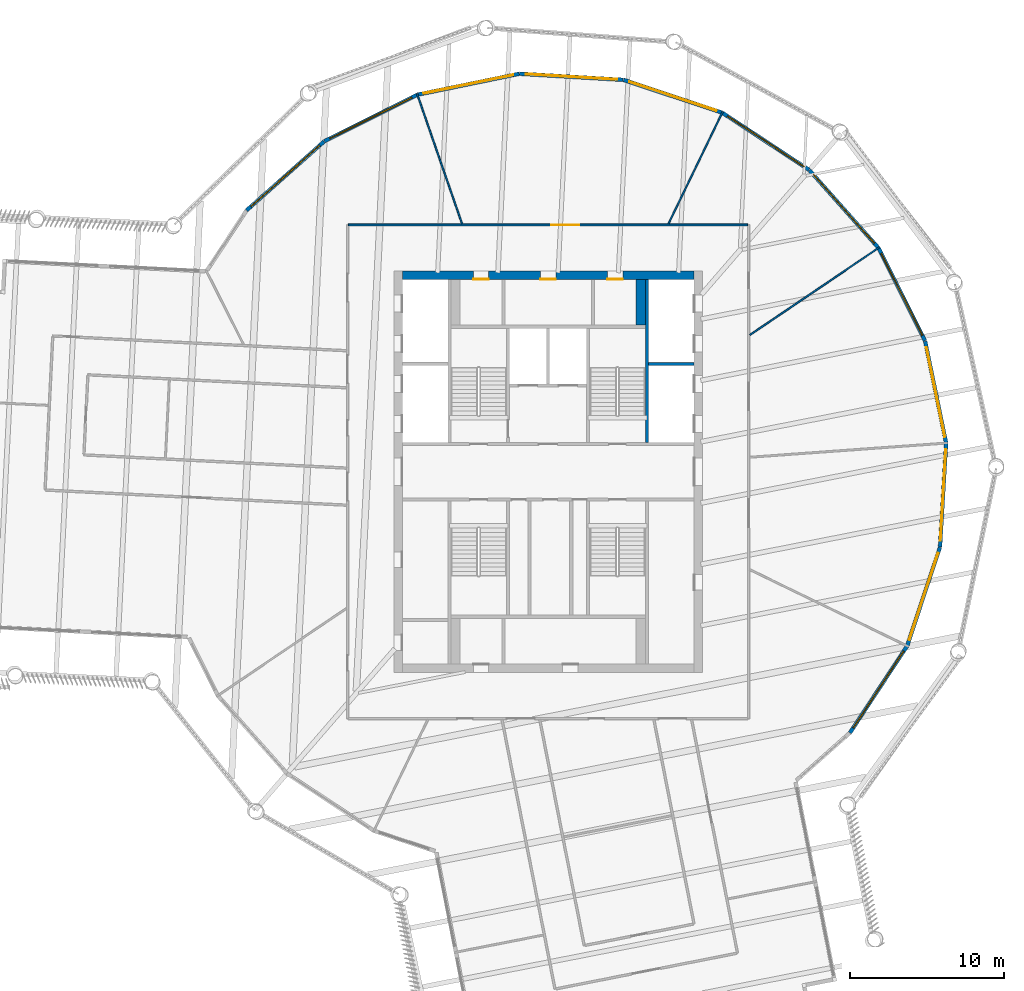
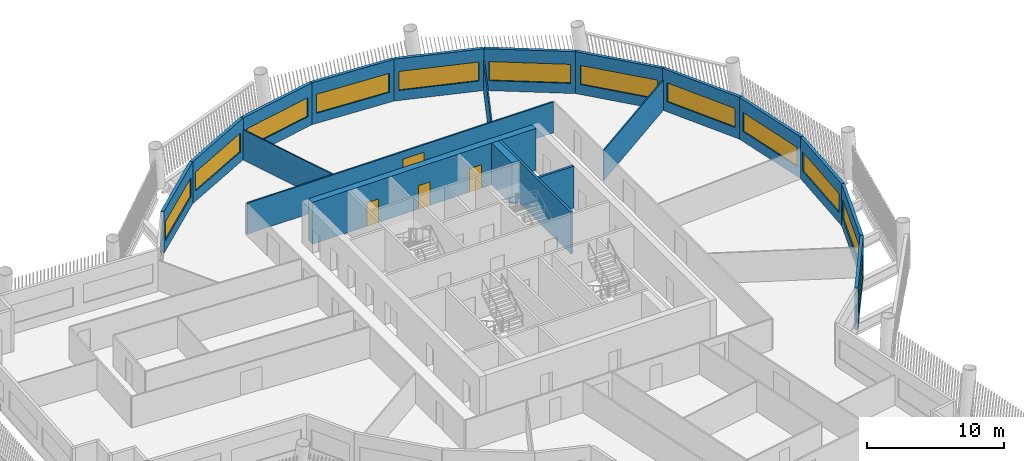
# One storey, part 6 of 14: 20 walls, 12 windows, 4 doors, 16 openings.
"""IFC4 building model written with IfcOpenShell, lengths in metres."""

from ifc_helpers import new_model, si_unit, direction, frame, frame_2d, origin, place, context, subcontext, project, spatial, rectangle, extrude, material, layer, layer_set, type_object, element, fill, save


model = new_model("IFC4")

# Units and contexts
model_context = context("Model", 3, precision=1e-05, world=origin(), true_north=direction((0.0, 1.0)))
body_context = subcontext(model_context, "Body", "Model", "MODEL_VIEW")
ifc_project = project(units=[si_unit("LENGTHUNIT", "METRE"), si_unit("AREAUNIT", "SQUARE_METRE"), si_unit("VOLUMEUNIT", "CUBIC_METRE"), si_unit("PLANEANGLEUNIT", "RADIAN"), si_unit("MASSUNIT", "GRAM", prefix="KILO")], contexts=[model_context])

# Site, building, storey
site_placement = place(None, origin())
site = spatial("IfcSite", under=ifc_project, at=site_placement, CompositionType="ELEMENT")
building_placement = place(site_placement, origin())
building = spatial("IfcBuilding", under=site, at=building_placement, Name="Tarsis Ring Headquarters", CompositionType="ELEMENT")
storey_placement = place(building_placement, frame((0.0, 0.0, 274.699951171875)))
storey = spatial("IfcBuildingStorey", under=building, at=storey_placement, Name="L64", CompositionType="ELEMENT", Elevation=274.699951171875)

# Wall, openings, doors
ifc_material_1 = material(Name="Concrete C50/60", Category="concrete")
ifc_layer_1 = layer(ifc_material_1, 0.550048828125)
ifc_layer_set_1 = layer_set([ifc_layer_1], Name="Core wall 550 C50/60")
wall_type_1 = type_object("IfcWallType", Name="Core wall 550 C50/60", PredefinedType="SHEAR", material=ifc_layer_set_1)
wall_1_placement = place(storey_placement, frame((-9.449951171875, 12.72509765625, 0.0), z_axis=(0.0, 0.0, 1.0), x_axis=(1.0, 0.0, 0.0)))
wall_1 = element("IfcWall", 1, at=wall_1_placement, inside=storey, type_object=wall_type_1, Name="Core wall ON", PredefinedType="SHEAR", context=body_context, shape_type="SweptSolid", body=[
    extrude(rectangle(XDim=18.89990234375, YDim=0.550048828125, at=frame_2d((9.449951171875, 0.0))), origin(), (0.0, 0.0, 1.0), 3.739990234375),
])
opening_1_placement = place(wall_1_placement, frame((4.60009765625, 0.0, 0.0)))
opening_1 = element("IfcOpeningElement", 2, at=opening_1_placement, cuts=wall_1, Name="Opening L64-C14", PredefinedType="OPENING", context=body_context, shape_type="SweptSolid", body=[
    extrude(rectangle(XDim=1.0, YDim=2.10009765625, at=frame_2d((0.5, 1.050048828125))), frame((0.0, 0.284912109375, 0.0), z_axis=(0.0, -1.0, 0.0), x_axis=(1.0, 0.0, 0.0)), (0.0, 0.0, 1.0), 0.570068359375),
])
opening_2_placement = place(wall_1_placement, frame((8.949951171875, 0.0, 0.0)))
opening_2 = element("IfcOpeningElement", 3, at=opening_2_placement, cuts=wall_1, Name="Opening L64-C15", PredefinedType="OPENING", context=body_context, shape_type="SweptSolid", body=[
    extrude(rectangle(XDim=1.0, YDim=2.10009765625, at=frame_2d((0.5, 1.050048828125))), frame((0.0, 0.284912109375, 0.0), z_axis=(0.0, -1.0, 0.0), x_axis=(1.0, 0.0, 0.0)), (0.0, 0.0, 1.0), 0.570068359375),
])
opening_3_placement = place(wall_1_placement, frame((13.300048828125, 0.0, 0.0)))
opening_3 = element("IfcOpeningElement", 4, at=opening_3_placement, cuts=wall_1, Name="Opening L64-C16", PredefinedType="OPENING", context=body_context, shape_type="SweptSolid", body=[
    extrude(rectangle(XDim=1.0, YDim=2.10009765625, at=frame_2d((0.5, 1.050048828125))), frame((0.0, 0.284912109375, 0.0), z_axis=(0.0, -1.0, 0.0), x_axis=(1.0, 0.0, 0.0)), (0.0, 0.0, 1.0), 0.570068359375),
])
ifc_material_2 = material(Name="Steel S355", Category="steel")
door_type_1 = type_object("IfcDoorType", Name="Core room door 1000x2100", OperationType="SINGLE_SWING_LEFT", PredefinedType="DOOR", material=ifc_material_2)
door_1_placement = place(opening_1_placement, origin())
door_1 = element("IfcDoor", 5, at=door_1_placement, inside=storey, type_object=door_type_1, Name="Core room door L64", OperationType="SINGLE_SWING_LEFT", OverallHeight=2.10009765625, OverallWidth=1.0, PredefinedType="DOOR", context=body_context, shape_type="SweptSolid", body=[
    extrude(rectangle(XDim=1.0, YDim=2.10009765625, at=frame_2d((0.5, 1.050048828125))), frame((0.0, -0.22509765625, 0.0), z_axis=(0.0, -1.0, 0.0), x_axis=(1.0, 0.0, 0.0)), (0.0, 0.0, 1.0), 0.050048828125),
])
fill(opening_1, door_1)
door_2_placement = place(opening_2_placement, origin())
door_2 = element("IfcDoor", 6, at=door_2_placement, inside=storey, type_object=door_type_1, Name="Core room door L64", OperationType="SINGLE_SWING_LEFT", OverallHeight=2.10009765625, OverallWidth=1.0, PredefinedType="DOOR", context=body_context, shape_type="SweptSolid", body=[
    extrude(rectangle(XDim=1.0, YDim=2.10009765625, at=frame_2d((0.5, 1.050048828125))), frame((0.0, -0.22509765625, 0.0), z_axis=(0.0, -1.0, 0.0), x_axis=(1.0, 0.0, 0.0)), (0.0, 0.0, 1.0), 0.050048828125),
])
fill(opening_2, door_2)
door_3_placement = place(opening_3_placement, origin())
door_3 = element("IfcDoor", 7, at=door_3_placement, inside=storey, type_object=door_type_1, Name="Core room door L64", OperationType="SINGLE_SWING_LEFT", OverallHeight=2.10009765625, OverallWidth=1.0, PredefinedType="DOOR", context=body_context, shape_type="SweptSolid", body=[
    extrude(rectangle(XDim=1.0, YDim=2.10009765625, at=frame_2d((0.5, 1.050048828125))), frame((0.0, -0.22509765625, 0.0), z_axis=(0.0, -1.0, 0.0), x_axis=(1.0, 0.0, 0.0)), (0.0, 0.0, 1.0), 0.050048828125),
])
fill(opening_3, door_3)

# Walls
ifc_material_3 = material(Name="Gypsum board on steel studs", Category="steel")
ifc_layer_2 = layer(ifc_material_3, 0.10009765625)
ifc_layer_set_2 = layer_set([ifc_layer_2], Name="FL partition 100 unrated")
wall_type_2 = type_object("IfcWallType", Name="FL partition 100 unrated", PredefinedType="PARTITIONING", material=ifc_layer_set_2)
wall_2_placement = place(storey_placement, frame((13.082763671875, 8.864501953125, 0.0), z_axis=(0.0, 0.0, 1.0), x_axis=(0.827865336764, 0.560926897363, 0.0)))
element("IfcWall", 8, at=wall_2_placement, inside=storey, type_object=wall_type_2, Name="Partition PW3", PredefinedType="PARTITIONING", context=body_context, shape_type="SweptSolid", body=[
    extrude(rectangle(XDim=10.144775390625, YDim=0.10009765625, at=frame_2d((5.072265625, 0.0))), origin(), (0.0, 0.0, 1.0), 2.699951171875),
])
wall_3_placement = place(storey_placement, frame((-8.499267578125, 24.516357421875, 0.0), z_axis=(0.0, 0.0, 1.0), x_axis=(0.327560130423, -0.944830334482, 0.0)))
element("IfcWall", 9, at=wall_3_placement, inside=storey, type_object=wall_type_2, Name="Partition PW3", PredefinedType="PARTITIONING", context=body_context, shape_type="SweptSolid", body=[
    extrude(rectangle(XDim=8.93359375, YDim=0.10009765625, at=frame_2d((4.466796875, 0.0))), origin(), (0.0, 0.0, 1.0), 2.699951171875),
])
wall_4_placement = place(storey_placement, frame((7.797119140625, 16.072021484375, 0.0), z_axis=(0.0, 0.0, 1.0), x_axis=(0.436503187928, 0.899702710304, 0.0)))
element("IfcWall", 10, at=wall_4_placement, inside=storey, type_object=wall_type_2, Name="Partition PW3", PredefinedType="PARTITIONING", context=body_context, shape_type="SweptSolid", body=[
    extrude(rectangle(XDim=8.084228515625, YDim=0.10009765625, at=frame_2d((4.0419921875, 0.0))), origin(), (0.0, 0.0, 1.0), 2.699951171875),
])

# Wall, opening, door
ifc_layer_3 = layer(ifc_material_3, 0.125)
ifc_layer_set_3 = layer_set([ifc_layer_3], Name="FL partition 125 EI 60 H2770")
wall_type_3 = type_object("IfcWallType", Name="FL partition 125 EI 60 H2770", PredefinedType="PARTITIONING", material=ifc_layer_set_3)
wall_5_placement = place(storey_placement, frame((-12.93994140625, 16.0, 0.0), z_axis=(0.0, 0.0, 1.0), x_axis=(1.0, 0.0, 0.0)))
wall_5 = element("IfcWall", 11, at=wall_5_placement, inside=storey, type_object=wall_type_3, Name="Partition PW1", PredefinedType="PARTITIONING", context=body_context, shape_type="SweptSolid", body=[
    extrude(rectangle(XDim=25.8798828125, YDim=0.125, at=frame_2d((12.93994140625, 0.0))), origin(), (0.0, 0.0, 1.0), 2.77001953125),
])
opening_4_placement = place(wall_5_placement, frame((13.147705078125, 0.0, 0.0)))
opening_4 = element("IfcOpeningElement", 12, at=opening_4_placement, cuts=wall_5, Name="Opening D64.04", PredefinedType="OPENING", context=body_context, shape_type="SweptSolid", body=[
    extrude(rectangle(XDim=1.800048828125, YDim=2.10009765625, at=frame_2d((0.89990234375, 1.050048828125))), frame((0.0, 0.072509765625, 0.0), z_axis=(0.0, -1.0, 0.0), x_axis=(1.0, 0.0, 0.0)), (0.0, 0.0, 1.0), 0.14501953125),
])
ifc_material_4 = material(Name="Fire-rated timber door leaf in steel frame", Category="steel")
door_type_2 = type_object("IfcDoorType", Name="FL door FD60-1800", OperationType="DOUBLE_DOOR_SINGLE_SWING", PredefinedType="DOOR", material=ifc_material_4)
door_4_placement = place(opening_4_placement, origin())
door_4 = element("IfcDoor", 13, at=door_4_placement, inside=storey, type_object=door_type_2, Name="Door D64.04", OperationType="DOUBLE_DOOR_SINGLE_SWING", OverallHeight=2.10009765625, OverallWidth=1.800048828125, PredefinedType="DOOR", context=body_context, shape_type="SweptSolid", body=[
    extrude(rectangle(XDim=1.800048828125, YDim=2.10009765625, at=frame_2d((0.89990234375, 1.050048828125))), frame((0.0, 0.02490234375, 0.0), z_axis=(0.0, -1.0, 0.0), x_axis=(1.0, 0.0, 0.0)), (0.0, 0.0, 1.0), 0.050048828125),
])
fill(opening_4, door_4)

# Wall, opening, window
ifc_material_5 = material(Name="Terracotta clad insulated panel wall", Category="masonry")
ifc_layer_4 = layer(ifc_material_5, 0.25)
ifc_layer_set_4 = layer_set([ifc_layer_4], Name="Facade wall terracotta panel 250")
wall_type_4 = type_object("IfcWallType", Name="Facade wall terracotta panel 250", PredefinedType="STANDARD", material=ifc_layer_set_4)
wall_6_placement = place(storey_placement, frame((19.57177734375, -16.920166015625, 0.0), z_axis=(0.0, 0.0, 1.0), x_axis=(0.550199408982, 0.83503329895, 0.0)))
wall_6 = element("IfcWall", 14, at=wall_6_placement, inside=storey, type_object=wall_type_4, Name="External wall L64-18", PredefinedType="STANDARD", context=body_context, shape_type="SweptSolid", body=[
    extrude(rectangle(XDim=6.7216796875, YDim=0.25, at=frame_2d((3.36083984375, 0.0))), origin(), (0.0, 0.0, 1.0), 3.739990234375),
])
opening_5_placement = place(wall_6_placement, frame((0.3857421875, 0.0, 0.89990234375)))
opening_5 = element("IfcOpeningElement", 15, at=opening_5_placement, cuts=wall_6, Name="Opening WN07", PredefinedType="OPENING", context=body_context, shape_type="SweptSolid", body=[
    extrude(rectangle(XDim=5.949951171875, YDim=1.699951171875, at=frame_2d((2.97509765625, 0.85009765625))), frame((0.0, 0.135009765625, 0.0), z_axis=(0.0, -1.0, 0.0), x_axis=(1.0, 0.0, 0.0)), (0.0, 0.0, 1.0), 0.27001953125),
])
ifc_material_6 = material(Name="Aluminium framed double glazing", Category="aluminium")
window_type = type_object("IfcWindowType", Name="Facade window 5950 x 1700", PartitioningType="SINGLE_PANEL", PredefinedType="WINDOW", material=ifc_material_6)
window_1_placement = place(opening_5_placement, origin())
window_1 = element("IfcWindow", 16, at=window_1_placement, inside=storey, type_object=window_type, Name="Window L64-18.1", OverallHeight=1.699951171875, OverallWidth=5.949951171875, PartitioningType="SINGLE_PANEL", PredefinedType="WINDOW", context=body_context, shape_type="SweptSolid", body=[
    extrude(rectangle(XDim=5.949951171875, YDim=1.699951171875, at=frame_2d((2.97509765625, 0.85009765625))), frame((0.0, 0.030029296875, 0.0), z_axis=(0.0, -1.0, 0.0), x_axis=(1.0, 0.0, 0.0)), (0.0, 0.0, 1.0), 0.06005859375),
])
fill(opening_5, window_1)

wall_7_placement = place(storey_placement, frame((23.2841796875, -11.278076171875, 0.0), z_axis=(0.0, 0.0, 1.0), x_axis=(0.31531230147, 0.948987962274, 0.0)))
wall_7 = element("IfcWall", 17, at=wall_7_placement, inside=storey, type_object=wall_type_4, Name="External wall L64-19", PredefinedType="STANDARD", context=body_context, shape_type="SweptSolid", body=[
    extrude(rectangle(XDim=6.721435546875, YDim=0.25, at=frame_2d((3.36083984375, 0.0))), origin(), (0.0, 0.0, 1.0), 3.739990234375),
])
opening_6_placement = place(wall_7_placement, frame((0.3857421875, 0.0, 0.89990234375)))
opening_6 = element("IfcOpeningElement", 18, at=opening_6_placement, cuts=wall_7, Name="Opening WN07", PredefinedType="OPENING", context=body_context, shape_type="SweptSolid", body=[
    extrude(rectangle(XDim=5.949951171875, YDim=1.699951171875, at=frame_2d((2.97509765625, 0.85009765625))), frame((0.0, 0.135009765625, 0.0), z_axis=(0.0, -1.0, 0.0), x_axis=(1.0, 0.0, 0.0)), (0.0, 0.0, 1.0), 0.27001953125),
])
window_2_placement = place(opening_6_placement, origin())
window_2 = element("IfcWindow", 19, at=window_2_placement, inside=storey, type_object=window_type, Name="Window L64-19.1", OverallHeight=1.699951171875, OverallWidth=5.949951171875, PartitioningType="SINGLE_PANEL", PredefinedType="WINDOW", context=body_context, shape_type="SweptSolid", body=[
    extrude(rectangle(XDim=5.949951171875, YDim=1.699951171875, at=frame_2d((2.97509765625, 0.85009765625))), frame((0.0, 0.030029296875, 0.0), z_axis=(0.0, -1.0, 0.0), x_axis=(1.0, 0.0, 0.0)), (0.0, 0.0, 1.0), 0.06005859375),
])
fill(opening_6, window_2)

wall_8_placement = place(storey_placement, frame((25.409912109375, -4.867431640625, 0.0), z_axis=(0.0, 0.0, 1.0), x_axis=(0.058949844091, 0.998260945786, 0.0)))
wall_8 = element("IfcWall", 20, at=wall_8_placement, inside=storey, type_object=wall_type_4, Name="External wall L64-20", PredefinedType="STANDARD", context=body_context, shape_type="SweptSolid", body=[
    extrude(rectangle(XDim=6.7216796875, YDim=0.25, at=frame_2d((3.36083984375, 0.0))), origin(), (0.0, 0.0, 1.0), 3.739990234375),
])
opening_7_placement = place(wall_8_placement, frame((0.3857421875, 0.0, 0.89990234375)))
opening_7 = element("IfcOpeningElement", 21, at=opening_7_placement, cuts=wall_8, Name="Opening WN07", PredefinedType="OPENING", context=body_context, shape_type="SweptSolid", body=[
    extrude(rectangle(XDim=5.949951171875, YDim=1.699951171875, at=frame_2d((2.97509765625, 0.85009765625))), frame((0.0, 0.135009765625, 0.0), z_axis=(0.0, -1.0, 0.0), x_axis=(1.0, 0.0, 0.0)), (0.0, 0.0, 1.0), 0.27001953125),
])
window_3_placement = place(opening_7_placement, origin())
window_3 = element("IfcWindow", 22, at=window_3_placement, inside=storey, type_object=window_type, Name="Window L64-20.1", OverallHeight=1.699951171875, OverallWidth=5.949951171875, PartitioningType="SINGLE_PANEL", PredefinedType="WINDOW", context=body_context, shape_type="SweptSolid", body=[
    extrude(rectangle(XDim=5.949951171875, YDim=1.699951171875, at=frame_2d((2.97509765625, 0.85009765625))), frame((0.0, 0.030029296875, 0.0), z_axis=(0.0, -1.0, 0.0), x_axis=(1.0, 0.0, 0.0)), (0.0, 0.0, 1.0), 0.06005859375),
])
fill(opening_7, window_3)

wall_9_placement = place(storey_placement, frame((25.8037109375, 1.875, 0.0), z_axis=(0.0, 0.0, 1.0), x_axis=(-0.201407971453, 0.979507442052, 0.0)))
wall_9 = element("IfcWall", 23, at=wall_9_placement, inside=storey, type_object=wall_type_4, Name="External wall L64-21", PredefinedType="STANDARD", context=body_context, shape_type="SweptSolid", body=[
    extrude(rectangle(XDim=6.721435546875, YDim=0.25, at=frame_2d((3.36083984375, 0.0))), origin(), (0.0, 0.0, 1.0), 3.739990234375),
])
opening_8_placement = place(wall_9_placement, frame((0.3857421875, 0.0, 0.89990234375)))
opening_8 = element("IfcOpeningElement", 24, at=opening_8_placement, cuts=wall_9, Name="Opening WN07", PredefinedType="OPENING", context=body_context, shape_type="SweptSolid", body=[
    extrude(rectangle(XDim=5.949951171875, YDim=1.699951171875, at=frame_2d((2.97509765625, 0.85009765625))), frame((0.0, 0.135009765625, 0.0), z_axis=(0.0, -1.0, 0.0), x_axis=(1.0, 0.0, 0.0)), (0.0, 0.0, 1.0), 0.27001953125),
])
window_4_placement = place(opening_8_placement, origin())
window_4 = element("IfcWindow", 25, at=window_4_placement, inside=storey, type_object=window_type, Name="Window L64-21.1", OverallHeight=1.699951171875, OverallWidth=5.949951171875, PartitioningType="SINGLE_PANEL", PredefinedType="WINDOW", context=body_context, shape_type="SweptSolid", body=[
    extrude(rectangle(XDim=5.949951171875, YDim=1.699951171875, at=frame_2d((2.97509765625, 0.85009765625))), frame((0.0, 0.030029296875, 0.0), z_axis=(0.0, -1.0, 0.0), x_axis=(1.0, 0.0, 0.0)), (0.0, 0.0, 1.0), 0.06005859375),
])
fill(opening_8, window_4)

wall_10_placement = place(storey_placement, frame((24.439208984375, 8.48974609375, 0.0), z_axis=(0.0, 0.0, 1.0), x_axis=(-0.448070593913, 0.893998178338, 0.0)))
wall_10 = element("IfcWall", 26, at=wall_10_placement, inside=storey, type_object=wall_type_4, Name="External wall L64-22", PredefinedType="STANDARD", context=body_context, shape_type="SweptSolid", body=[
    extrude(rectangle(XDim=6.721435546875, YDim=0.25, at=frame_2d((3.36083984375, 0.0))), origin(), (0.0, 0.0, 1.0), 3.739990234375),
])
opening_9_placement = place(wall_10_placement, frame((0.3857421875, 0.0, 0.89990234375)))
opening_9 = element("IfcOpeningElement", 27, at=opening_9_placement, cuts=wall_10, Name="Opening WN07", PredefinedType="OPENING", context=body_context, shape_type="SweptSolid", body=[
    extrude(rectangle(XDim=5.949951171875, YDim=1.699951171875, at=frame_2d((2.97509765625, 0.85009765625))), frame((0.0, 0.135009765625, 0.0), z_axis=(0.0, -1.0, 0.0), x_axis=(1.0, 0.0, 0.0)), (0.0, 0.0, 1.0), 0.27001953125),
])
window_5_placement = place(opening_9_placement, origin())
window_5 = element("IfcWindow", 28, at=window_5_placement, inside=storey, type_object=window_type, Name="Window L64-22.1", OverallHeight=1.699951171875, OverallWidth=5.949951171875, PartitioningType="SINGLE_PANEL", PredefinedType="WINDOW", context=body_context, shape_type="SweptSolid", body=[
    extrude(rectangle(XDim=5.949951171875, YDim=1.699951171875, at=frame_2d((2.97509765625, 0.85009765625))), frame((0.0, 0.030029296875, 0.0), z_axis=(0.0, -1.0, 0.0), x_axis=(1.0, 0.0, 0.0)), (0.0, 0.0, 1.0), 0.06005859375),
])
fill(opening_9, window_5)

wall_11_placement = place(storey_placement, frame((21.4091796875, 14.525634765625, 0.0), z_axis=(0.0, 0.0, 1.0), x_axis=(-0.664178953483, 0.747573620288, 0.0)))
wall_11 = element("IfcWall", 29, at=wall_11_placement, inside=storey, type_object=wall_type_4, Name="External wall L64-23", PredefinedType="STANDARD", context=body_context, shape_type="SweptSolid", body=[
    extrude(rectangle(XDim=6.7216796875, YDim=0.25, at=frame_2d((3.36083984375, 0.0))), origin(), (0.0, 0.0, 1.0), 3.739990234375),
])
opening_10_placement = place(wall_11_placement, frame((0.3857421875, 0.0, 0.89990234375)))
opening_10 = element("IfcOpeningElement", 30, at=opening_10_placement, cuts=wall_11, Name="Opening WN07", PredefinedType="OPENING", context=body_context, shape_type="SweptSolid", body=[
    extrude(rectangle(XDim=5.949951171875, YDim=1.699951171875, at=frame_2d((2.97509765625, 0.85009765625))), frame((0.0, 0.135009765625, 0.0), z_axis=(0.0, -1.0, 0.0), x_axis=(1.0, 0.0, 0.0)), (0.0, 0.0, 1.0), 0.27001953125),
])
window_6_placement = place(opening_10_placement, origin())
window_6 = element("IfcWindow", 31, at=window_6_placement, inside=storey, type_object=window_type, Name="Window L64-23.1", OverallHeight=1.699951171875, OverallWidth=5.949951171875, PartitioningType="SINGLE_PANEL", PredefinedType="WINDOW", context=body_context, shape_type="SweptSolid", body=[
    extrude(rectangle(XDim=5.949951171875, YDim=1.699951171875, at=frame_2d((2.97509765625, 0.85009765625))), frame((0.0, 0.030029296875, 0.0), z_axis=(0.0, -1.0, 0.0), x_axis=(1.0, 0.0, 0.0)), (0.0, 0.0, 1.0), 0.06005859375),
])
fill(opening_10, window_6)

wall_12_placement = place(storey_placement, frame((16.920166015625, 19.57177734375, 0.0), z_axis=(0.0, 0.0, 1.0), x_axis=(-0.83503329895, 0.550199408982, 0.0)))
wall_12 = element("IfcWall", 32, at=wall_12_placement, inside=storey, type_object=wall_type_4, Name="External wall L64-24", PredefinedType="STANDARD", context=body_context, shape_type="SweptSolid", body=[
    extrude(rectangle(XDim=6.7216796875, YDim=0.25, at=frame_2d((3.36083984375, 0.0))), origin(), (0.0, 0.0, 1.0), 3.739990234375),
])
opening_11_placement = place(wall_12_placement, frame((0.3857421875, 0.0, 0.89990234375)))
opening_11 = element("IfcOpeningElement", 33, at=opening_11_placement, cuts=wall_12, Name="Opening WN07", PredefinedType="OPENING", context=body_context, shape_type="SweptSolid", body=[
    extrude(rectangle(XDim=5.949951171875, YDim=1.699951171875, at=frame_2d((2.97509765625, 0.85009765625))), frame((0.0, 0.135009765625, 0.0), z_axis=(0.0, -1.0, 0.0), x_axis=(1.0, 0.0, 0.0)), (0.0, 0.0, 1.0), 0.27001953125),
])
window_7_placement = place(opening_11_placement, origin())
window_7 = element("IfcWindow", 34, at=window_7_placement, inside=storey, type_object=window_type, Name="Window L64-24.1", OverallHeight=1.699951171875, OverallWidth=5.949951171875, PartitioningType="SINGLE_PANEL", PredefinedType="WINDOW", context=body_context, shape_type="SweptSolid", body=[
    extrude(rectangle(XDim=5.949951171875, YDim=1.699951171875, at=frame_2d((2.97509765625, 0.85009765625))), frame((0.0, 0.030029296875, 0.0), z_axis=(0.0, -1.0, 0.0), x_axis=(1.0, 0.0, 0.0)), (0.0, 0.0, 1.0), 0.06005859375),
])
fill(opening_11, window_7)

wall_13_placement = place(storey_placement, frame((11.278076171875, 23.2841796875, 0.0), z_axis=(0.0, 0.0, 1.0), x_axis=(-0.948987962274, 0.31531230147, 0.0)))
wall_13 = element("IfcWall", 35, at=wall_13_placement, inside=storey, type_object=wall_type_4, Name="External wall L64-25", PredefinedType="STANDARD", context=body_context, shape_type="SweptSolid", body=[
    extrude(rectangle(XDim=6.721435546875, YDim=0.25, at=frame_2d((3.36083984375, 0.0))), origin(), (0.0, 0.0, 1.0), 3.739990234375),
])
opening_12_placement = place(wall_13_placement, frame((0.3857421875, 0.0, 0.89990234375)))
opening_12 = element("IfcOpeningElement", 36, at=opening_12_placement, cuts=wall_13, Name="Opening WN07", PredefinedType="OPENING", context=body_context, shape_type="SweptSolid", body=[
    extrude(rectangle(XDim=5.949951171875, YDim=1.699951171875, at=frame_2d((2.97509765625, 0.85009765625))), frame((0.0, 0.135009765625, 0.0), z_axis=(0.0, -1.0, 0.0), x_axis=(1.0, 0.0, 0.0)), (0.0, 0.0, 1.0), 0.27001953125),
])
window_8_placement = place(opening_12_placement, origin())
window_8 = element("IfcWindow", 37, at=window_8_placement, inside=storey, type_object=window_type, Name="Window L64-25.1", OverallHeight=1.699951171875, OverallWidth=5.949951171875, PartitioningType="SINGLE_PANEL", PredefinedType="WINDOW", context=body_context, shape_type="SweptSolid", body=[
    extrude(rectangle(XDim=5.949951171875, YDim=1.699951171875, at=frame_2d((2.97509765625, 0.85009765625))), frame((0.0, 0.030029296875, 0.0), z_axis=(0.0, -1.0, 0.0), x_axis=(1.0, 0.0, 0.0)), (0.0, 0.0, 1.0), 0.06005859375),
])
fill(opening_12, window_8)

wall_14_placement = place(storey_placement, frame((4.867431640625, 25.409912109375, 0.0), z_axis=(0.0, 0.0, 1.0), x_axis=(-0.998260945786, 0.058949844091, 0.0)))
wall_14 = element("IfcWall", 38, at=wall_14_placement, inside=storey, type_object=wall_type_4, Name="External wall L64-26", PredefinedType="STANDARD", context=body_context, shape_type="SweptSolid", body=[
    extrude(rectangle(XDim=6.7216796875, YDim=0.25, at=frame_2d((3.36083984375, 0.0))), origin(), (0.0, 0.0, 1.0), 3.739990234375),
])
opening_13_placement = place(wall_14_placement, frame((0.3857421875, 0.0, 0.89990234375)))
opening_13 = element("IfcOpeningElement", 39, at=opening_13_placement, cuts=wall_14, Name="Opening WN07", PredefinedType="OPENING", context=body_context, shape_type="SweptSolid", body=[
    extrude(rectangle(XDim=5.949951171875, YDim=1.699951171875, at=frame_2d((2.97509765625, 0.85009765625))), frame((0.0, 0.135009765625, 0.0), z_axis=(0.0, -1.0, 0.0), x_axis=(1.0, 0.0, 0.0)), (0.0, 0.0, 1.0), 0.27001953125),
])
window_9_placement = place(opening_13_placement, origin())
window_9 = element("IfcWindow", 40, at=window_9_placement, inside=storey, type_object=window_type, Name="Window L64-26.1", OverallHeight=1.699951171875, OverallWidth=5.949951171875, PartitioningType="SINGLE_PANEL", PredefinedType="WINDOW", context=body_context, shape_type="SweptSolid", body=[
    extrude(rectangle(XDim=5.949951171875, YDim=1.699951171875, at=frame_2d((2.97509765625, 0.85009765625))), frame((0.0, 0.030029296875, 0.0), z_axis=(0.0, -1.0, 0.0), x_axis=(1.0, 0.0, 0.0)), (0.0, 0.0, 1.0), 0.06005859375),
])
fill(opening_13, window_9)

wall_15_placement = place(storey_placement, frame((-1.875, 25.8037109375, 0.0), z_axis=(0.0, 0.0, 1.0), x_axis=(-0.979507442052, -0.201407971453, 0.0)))
wall_15 = element("IfcWall", 41, at=wall_15_placement, inside=storey, type_object=wall_type_4, Name="External wall L64-27", PredefinedType="STANDARD", context=body_context, shape_type="SweptSolid", body=[
    extrude(rectangle(XDim=6.721435546875, YDim=0.25, at=frame_2d((3.36083984375, 0.0))), origin(), (0.0, 0.0, 1.0), 3.739990234375),
])
opening_14_placement = place(wall_15_placement, frame((0.3857421875, 0.0, 0.89990234375)))
opening_14 = element("IfcOpeningElement", 42, at=opening_14_placement, cuts=wall_15, Name="Opening WN07", PredefinedType="OPENING", context=body_context, shape_type="SweptSolid", body=[
    extrude(rectangle(XDim=5.949951171875, YDim=1.699951171875, at=frame_2d((2.97509765625, 0.85009765625))), frame((0.0, 0.135009765625, 0.0), z_axis=(0.0, -1.0, 0.0), x_axis=(1.0, 0.0, 0.0)), (0.0, 0.0, 1.0), 0.27001953125),
])
window_10_placement = place(opening_14_placement, origin())
window_10 = element("IfcWindow", 43, at=window_10_placement, inside=storey, type_object=window_type, Name="Window L64-27.1", OverallHeight=1.699951171875, OverallWidth=5.949951171875, PartitioningType="SINGLE_PANEL", PredefinedType="WINDOW", context=body_context, shape_type="SweptSolid", body=[
    extrude(rectangle(XDim=5.949951171875, YDim=1.699951171875, at=frame_2d((2.97509765625, 0.85009765625))), frame((0.0, 0.030029296875, 0.0), z_axis=(0.0, -1.0, 0.0), x_axis=(1.0, 0.0, 0.0)), (0.0, 0.0, 1.0), 0.06005859375),
])
fill(opening_14, window_10)

wall_16_placement = place(storey_placement, frame((-8.48974609375, 24.439208984375, 0.0), z_axis=(0.0, 0.0, 1.0), x_axis=(-0.893998178338, -0.448070593913, 0.0)))
wall_16 = element("IfcWall", 44, at=wall_16_placement, inside=storey, type_object=wall_type_4, Name="External wall L64-28", PredefinedType="STANDARD", context=body_context, shape_type="SweptSolid", body=[
    extrude(rectangle(XDim=6.721435546875, YDim=0.25, at=frame_2d((3.36083984375, 0.0))), origin(), (0.0, 0.0, 1.0), 3.739990234375),
])
opening_15_placement = place(wall_16_placement, frame((0.3857421875, 0.0, 0.89990234375)))
opening_15 = element("IfcOpeningElement", 45, at=opening_15_placement, cuts=wall_16, Name="Opening WN07", PredefinedType="OPENING", context=body_context, shape_type="SweptSolid", body=[
    extrude(rectangle(XDim=5.949951171875, YDim=1.699951171875, at=frame_2d((2.97509765625, 0.85009765625))), frame((0.0, 0.135009765625, 0.0), z_axis=(0.0, -1.0, 0.0), x_axis=(1.0, 0.0, 0.0)), (0.0, 0.0, 1.0), 0.27001953125),
])
window_11_placement = place(opening_15_placement, origin())
window_11 = element("IfcWindow", 46, at=window_11_placement, inside=storey, type_object=window_type, Name="Window L64-28.1", OverallHeight=1.699951171875, OverallWidth=5.949951171875, PartitioningType="SINGLE_PANEL", PredefinedType="WINDOW", context=body_context, shape_type="SweptSolid", body=[
    extrude(rectangle(XDim=5.949951171875, YDim=1.699951171875, at=frame_2d((2.97509765625, 0.85009765625))), frame((0.0, 0.030029296875, 0.0), z_axis=(0.0, -1.0, 0.0), x_axis=(1.0, 0.0, 0.0)), (0.0, 0.0, 1.0), 0.06005859375),
])
fill(opening_15, window_11)

wall_17_placement = place(storey_placement, frame((-14.525634765625, 21.4091796875, 0.0), z_axis=(0.0, 0.0, 1.0), x_axis=(-0.747573620288, -0.664178953483, 0.0)))
wall_17 = element("IfcWall", 47, at=wall_17_placement, inside=storey, type_object=wall_type_4, Name="External wall L64-29", PredefinedType="STANDARD", context=body_context, shape_type="SweptSolid", body=[
    extrude(rectangle(XDim=6.7216796875, YDim=0.25, at=frame_2d((3.36083984375, 0.0))), origin(), (0.0, 0.0, 1.0), 3.739990234375),
])
opening_16_placement = place(wall_17_placement, frame((0.3857421875, 0.0, 0.89990234375)))
opening_16 = element("IfcOpeningElement", 48, at=opening_16_placement, cuts=wall_17, Name="Opening WN07", PredefinedType="OPENING", context=body_context, shape_type="SweptSolid", body=[
    extrude(rectangle(XDim=5.949951171875, YDim=1.699951171875, at=frame_2d((2.97509765625, 0.85009765625))), frame((0.0, 0.135009765625, 0.0), z_axis=(0.0, -1.0, 0.0), x_axis=(1.0, 0.0, 0.0)), (0.0, 0.0, 1.0), 0.27001953125),
])
window_12_placement = place(opening_16_placement, origin())
window_12 = element("IfcWindow", 49, at=window_12_placement, inside=storey, type_object=window_type, Name="Window L64-29.1", OverallHeight=1.699951171875, OverallWidth=5.949951171875, PartitioningType="SINGLE_PANEL", PredefinedType="WINDOW", context=body_context, shape_type="SweptSolid", body=[
    extrude(rectangle(XDim=5.949951171875, YDim=1.699951171875, at=frame_2d((2.97509765625, 0.85009765625))), frame((0.0, 0.030029296875, 0.0), z_axis=(0.0, -1.0, 0.0), x_axis=(1.0, 0.0, 0.0)), (0.0, 0.0, 1.0), 0.06005859375),
])
fill(opening_16, window_12)

# Walls
ifc_material_7 = material(Name="Concrete C32/40", Category="concrete")
ifc_layer_5 = layer(ifc_material_7, 0.60009765625)
ifc_layer_set_5 = layer_set([ifc_layer_5], Name="Shaft end wall 600 C32/40")
wall_type_5 = type_object("IfcWallType", Name="Shaft end wall 600 C32/40", PredefinedType="SOLIDWALL", material=ifc_layer_set_5)
wall_18_placement = place(storey_placement, frame((6.0, 9.5, 0.0), z_axis=(0.0, 0.0, 1.0), x_axis=(0.0, 1.0, 0.0)))
element("IfcWall", 50, at=wall_18_placement, inside=storey, type_object=wall_type_5, Name="Core shaft wall NNE2", PredefinedType="SOLIDWALL", context=body_context, shape_type="SweptSolid", body=[
    extrude(rectangle(XDim=2.949951171875, YDim=0.60009765625, at=frame_2d((1.47509765625, 0.0))), origin(), (0.0, 0.0, 1.0), 3.739990234375),
])
ifc_layer_6 = layer(ifc_material_7, 0.199951171875)
ifc_layer_set_6 = layer_set([ifc_layer_6], Name="Shaft wall 200 C32/40")
wall_type_6 = type_object("IfcWallType", Name="Shaft wall 200 C32/40", PredefinedType="SOLIDWALL", material=ifc_layer_set_6)
wall_19_placement = place(storey_placement, frame((6.39990234375, 1.89990234375, 0.0), z_axis=(0.0, 0.0, 1.0), x_axis=(0.0, 1.0, 0.0)))
element("IfcWall", 51, at=wall_19_placement, inside=storey, type_object=wall_type_6, Name="Core shaft wall EB2", PredefinedType="SOLIDWALL", context=body_context, shape_type="SweptSolid", body=[
    extrude(rectangle(XDim=10.550048828125, YDim=0.199951171875, at=frame_2d((5.27490234375, 0.0))), origin(), (0.0, 0.0, 1.0), 3.739990234375),
])
wall_20_placement = place(storey_placement, frame((6.5, 7.0, 0.0), z_axis=(0.0, 0.0, 1.0), x_axis=(1.0, 0.0, 0.0)))
element("IfcWall", 52, at=wall_20_placement, inside=storey, type_object=wall_type_6, Name="Core shaft wall ED6", PredefinedType="SOLIDWALL", context=body_context, shape_type="SweptSolid", body=[
    extrude(rectangle(XDim=2.949951171875, YDim=0.199951171875, at=frame_2d((1.47509765625, 0.0))), origin(), (0.0, 0.0, 1.0), 3.739990234375),
])

save(model, "model.ifc")
